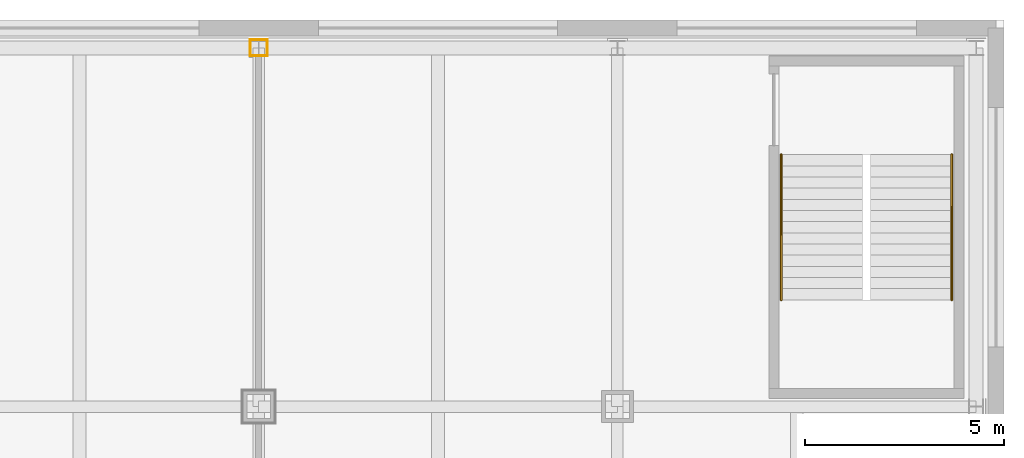
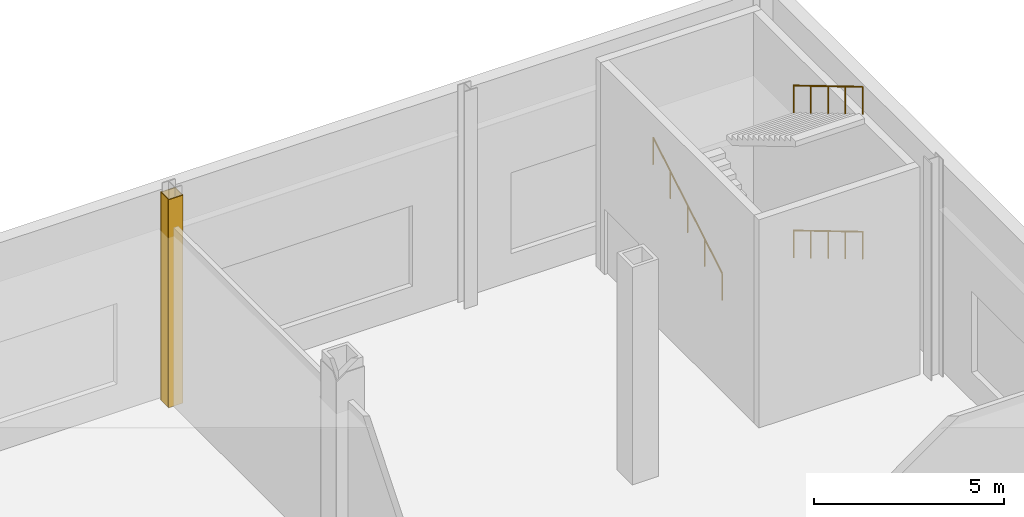
# One storey, part 31 of 32: 4 coverings, 3 railings.
"""IFC4 building model written with IfcOpenShell, lengths in metres."""

from ifc_helpers import new_model, si_unit, direction, frame, origin, origin_2d, place, context, subcontext, project, spatial, rectangle, circle, extrude, material, layer, layer_set, type_object, element, save


model = new_model("IFC4")

# Units and contexts
model_context = context("Model", 3, precision=1e-05, world=origin(), true_north=direction((0.0, 1.0)))
body_context = subcontext(model_context, "Body", "Model", "MODEL_VIEW")
ifc_project = project(units=[si_unit("LENGTHUNIT", "METRE"), si_unit("AREAUNIT", "SQUARE_METRE"), si_unit("VOLUMEUNIT", "CUBIC_METRE"), si_unit("PLANEANGLEUNIT", "RADIAN"), si_unit("MASSUNIT", "GRAM", prefix="KILO")], contexts=[model_context])

# Site, building, storey
site_placement = place(None, origin())
site = spatial("IfcSite", under=ifc_project, at=site_placement, CompositionType="ELEMENT")
building_placement = place(site_placement, origin())
building = spatial("IfcBuilding", under=site, at=building_placement, Name="Loomwork Tower", CompositionType="ELEMENT")
storey_placement = place(building_placement, frame((0.0, 0.0, 16.0)))
storey = spatial("IfcBuildingStorey", under=building, at=storey_placement, Name="L03", CompositionType="ELEMENT", Elevation=16.0)

# Coverings
ifc_material_1 = material(Name="Two-hour fire-rated gypsum board casing")
ifc_layer = layer(ifc_material_1, 0.02490234375)
ifc_layer_set = layer_set([ifc_layer], Name="Column fire casing 25")
covering_type = type_object("IfcCoveringType", Name="Column fire casing 25", PredefinedType="CLADDING", material=ifc_layer_set)
for number, where, z_axis, x_axis, name in (
    (1, (45.0, 45.200439453125, 0.0), (0.0, 0.0, 1.0), (1.0, 0.0, 0.0), "Column casing 45 45 L03"),
    (2, (45.0, 44.799560546875, 0.0), (0.0, 0.0, 1.0), (1.0, 0.0, 0.0), "Column casing 45 45 L03"),
):
    element("IfcCovering", number, at=place(storey_placement, frame(where, z_axis=z_axis, x_axis=x_axis)), inside=storey, type_object=covering_type, Name=name, PredefinedType="CLADDING", context=body_context, shape_type="SweptSolid", body=[
        extrude(rectangle(XDim=0.443603515625, YDim=0.02490234375, at=origin_2d()), origin(), (0.0, 0.0, 1.0), 6.699951171875),
    ])
for number, where, z_axis, x_axis, name in (
    (3, (45.20947265625, 45.0, 0.0), (0.0, 0.0, 1.0), (1.0, 0.0, 0.0), "Column casing 45 45 L03"),
    (4, (44.79052734375, 45.0, 0.0), (0.0, 0.0, 1.0), (1.0, 0.0, 0.0), "Column casing 45 45 L03"),
):
    element("IfcCovering", number, at=place(storey_placement, frame(where, z_axis=z_axis, x_axis=x_axis)), inside=storey, type_object=covering_type, Name=name, PredefinedType="CLADDING", context=body_context, shape_type="SweptSolid", body=[
        extrude(rectangle(XDim=0.02490234375, YDim=0.3759765625, at=origin_2d()), origin(), (0.0, 0.0, 1.0), 6.699951171875),
    ])

# Railings
ifc_material_2 = material(Name="Stainless steel handrail", Category="steel")
railing_type = type_object("IfcRailingType", Name="Handrail 900", PredefinedType="HANDRAIL", material=ifc_material_2)
railing_1_placement = place(storey_placement, frame((62.389892578125, 42.320068359375, 0.166748046875)))
element("IfcRailing", 5, at=railing_1_placement, inside=storey, type_object=railing_type, Name="Podium stair PS4 handrail flight 1 L03", PredefinedType="HANDRAIL", context=body_context, shape_type="SweptSolid", body=[
    extrude(circle(Radius=0.02392578125, at=origin_2d()), frame((0.0, 0.0, 0.8759765625), z_axis=(0.0, -0.859318214192, 0.511441303336), x_axis=(1.0, 0.0, 0.0)), (0.0, 0.0, 1.0), 4.236083984375),
    extrude(circle(Radius=0.02099609375, at=origin_2d()), origin(), (0.0, 0.0, 1.0), 0.851806640625),
    extrude(circle(Radius=0.02099609375, at=origin_2d()), frame((0.0, -0.91015625, 0.54150390625)), (0.0, 0.0, 1.0), 0.851806640625),
    extrude(circle(Radius=0.02099609375, at=origin_2d()), frame((0.0, -1.820068359375, 1.083251953125)), (0.0, 0.0, 1.0), 0.851806640625),
    extrude(circle(Radius=0.02099609375, at=origin_2d()), frame((0.0, -2.72998046875, 1.625)), (0.0, 0.0, 1.0), 0.851806640625),
    extrude(circle(Radius=0.02099609375, at=origin_2d()), frame((0.0, -3.64013671875, 2.16650390625)), (0.0, 0.0, 1.0), 0.851806640625),
])
railing_2_placement = place(storey_placement, frame((58.110107421875, 38.679931640625, 2.5)))
element("IfcRailing", 6, at=railing_2_placement, inside=storey, type_object=railing_type, Name="Podium stair PS4 handrail flight 2 L03", PredefinedType="HANDRAIL", context=body_context, shape_type="SweptSolid", body=[
    extrude(circle(Radius=0.02392578125, at=origin_2d()), frame((0.0, 0.0, 0.8759765625), z_axis=(0.0, 0.859318214192, 0.511441303336), x_axis=(-1.0, 0.0, 0.0)), (0.0, 0.0, 1.0), 4.236083984375),
    extrude(circle(Radius=0.02099609375, at=origin_2d()), origin(), (0.0, 0.0, 1.0), 0.851806640625),
    extrude(circle(Radius=0.02099609375, at=origin_2d()), frame((0.0, 0.91015625, 0.54150390625)), (0.0, 0.0, 1.0), 0.851806640625),
    extrude(circle(Radius=0.02099609375, at=origin_2d()), frame((0.0, 1.820068359375, 1.083251953125)), (0.0, 0.0, 1.0), 0.851806640625),
    extrude(circle(Radius=0.02099609375, at=origin_2d()), frame((0.0, 2.72998046875, 1.625)), (0.0, 0.0, 1.0), 0.851806640625),
    extrude(circle(Radius=0.02099609375, at=origin_2d()), frame((0.0, 3.64013671875, 2.16650390625)), (0.0, 0.0, 1.0), 0.851806640625),
])
railing_3_placement = place(storey_placement, frame((62.389892578125, 42.320068359375, 4.83349609375)))
element("IfcRailing", 7, at=railing_3_placement, inside=storey, type_object=railing_type, Name="Podium stair PS4 handrail flight 3 L03", PredefinedType="HANDRAIL", context=body_context, shape_type="SweptSolid", body=[
    extrude(circle(Radius=0.02392578125, at=origin_2d()), frame((0.0, 0.0, 0.8759765625), z_axis=(0.0, -0.859318214192, 0.511441303336), x_axis=(1.0, 0.0, 0.0)), (0.0, 0.0, 1.0), 4.236083984375),
    extrude(circle(Radius=0.02099609375, at=origin_2d()), origin(), (0.0, 0.0, 1.0), 0.851806640625),
    extrude(circle(Radius=0.02099609375, at=origin_2d()), frame((0.0, -0.91015625, 0.54150390625)), (0.0, 0.0, 1.0), 0.851806640625),
    extrude(circle(Radius=0.02099609375, at=origin_2d()), frame((0.0, -1.820068359375, 1.083251953125)), (0.0, 0.0, 1.0), 0.851806640625),
    extrude(circle(Radius=0.02099609375, at=origin_2d()), frame((0.0, -2.72998046875, 1.625)), (0.0, 0.0, 1.0), 0.851806640625),
    extrude(circle(Radius=0.02099609375, at=origin_2d()), frame((0.0, -3.64013671875, 2.16650390625)), (0.0, 0.0, 1.0), 0.851806640625),
])

save(model, "model.ifc")
